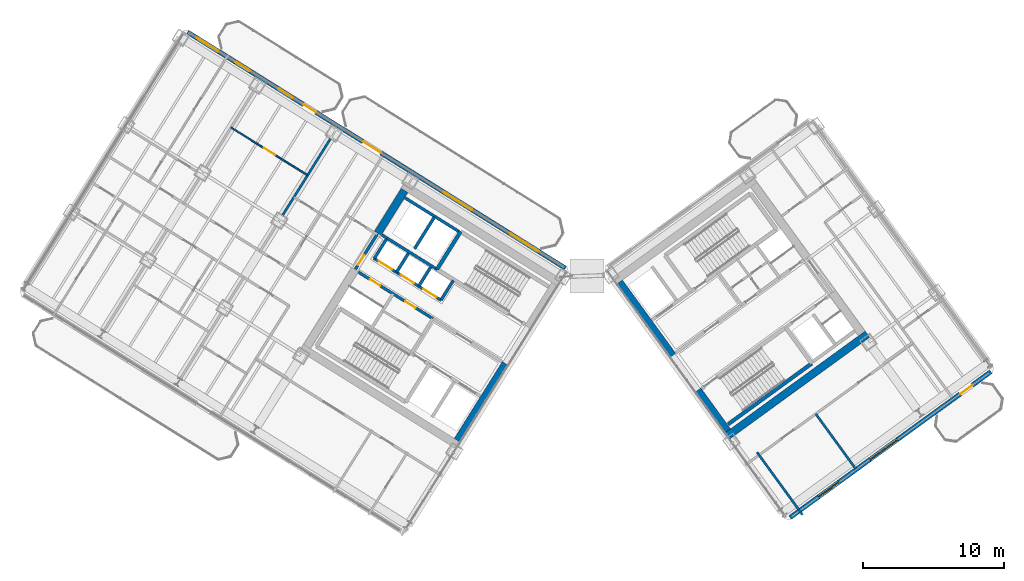
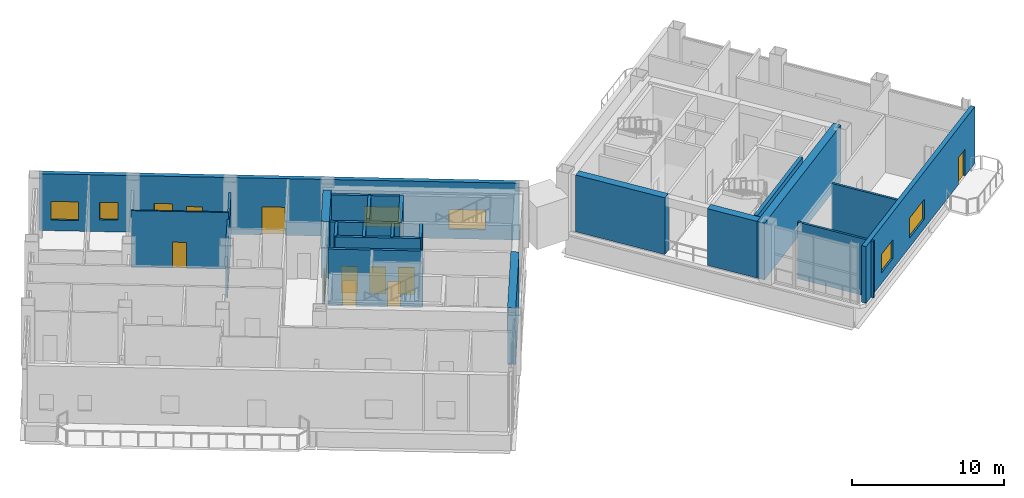
# One storey, part 14 of 22: 23 walls, 10 doors, 7 windows, 17 openings.
"""IFC4 building model written with IfcOpenShell, lengths in metres."""

import ifcopenshell
import ifcopenshell.guid

model = None  # the IFC model being written
_history = None  # IfcOwnerHistory: only IFC2X3 demands one
_inside = {}  # id of a spatial element -> (the spatial element, [elements in it])
_under = {}  # id of a project, library or spatial element -> (it, [spatial elements below it])
_declared = {}  # id of a project -> (the project, [libraries it declares])
_typed = {}  # id of a type object -> (the type object, [elements of that type])
_made_of = {}  # id of a material, layer set ... -> (it, [elements and type objects made of it])


def new_model(schema):
    """Start an empty IFC model of exactly this schema.

    Asked for "IFC4X3", IfcOpenShell would pick the latest addendum, in which some entities
    have other attributes; the version numbers below select the first issue.
    IFC2X3 requires an IfcOwnerHistory on every rooted entity: one is made here for all.
    """
    global model, _history
    if schema == "IFC4X3":
        model = ifcopenshell.file(schema_version=(4, 3, 0, 0))
    else:
        model = ifcopenshell.file(schema=schema)
    _inside.clear()
    _under.clear()
    _declared.clear()
    _typed.clear()
    _made_of.clear()
    _history = None
    if model.schema == "IFC2X3":
        org = make("IfcOrganization", Name="unknown")
        user = make(
            "IfcPersonAndOrganization",
            ThePerson=make("IfcPerson", FamilyName="unknown"),
            TheOrganization=org,
        )
        app = make(
            "IfcApplication",
            ApplicationDeveloper=org,
            Version="unknown",
            ApplicationFullName="unknown",
            ApplicationIdentifier="unknown",
        )
        _history = make(
            "IfcOwnerHistory",
            OwningUser=user,
            OwningApplication=app,
            ChangeAction="ADDED",
            CreationDate=0,
        )
    return model


def make(cls, **values):
    """One entity of the class cls with the attributes given. An attribute that is None is left unset."""
    return model.create_entity(
        cls, **{name: value for name, value in values.items() if value is not None}
    )


def rooted(cls, **values):
    """An entity with a GlobalId (a new one), such as an element, a storey or a relation."""
    return make(cls, GlobalId=ifcopenshell.guid.new(), OwnerHistory=_history, **values)


def si_unit(unit_type, name, prefix=None):
    """IfcSIUnit, for example si_unit("LENGTHUNIT", "METRE", prefix="MILLI")."""
    return make("IfcSIUnit", UnitType=unit_type, Prefix=prefix, Name=name)


def assignment(units):
    """IfcUnitAssignment: the units of a project."""
    return None if units is None else make("IfcUnitAssignment", Units=units)


def point(xyz):
    """IfcCartesianPoint."""
    return None if xyz is None else make("IfcCartesianPoint", Coordinates=xyz)


def direction(xyz):
    """IfcDirection."""
    return None if xyz is None else make("IfcDirection", DirectionRatios=xyz)


def frame(location, z_axis=None, x_axis=None):
    """IfcAxis2Placement3D, a coordinate frame: its origin and axes. An axis left out is left unset."""
    return make(
        "IfcAxis2Placement3D",
        Location=point(location),
        Axis=direction(z_axis),
        RefDirection=direction(x_axis),
    )


def frame_2d(location, x_axis=None):
    """IfcAxis2Placement2D, a coordinate frame in the plane: its origin and x axis."""
    return make(
        "IfcAxis2Placement2D", Location=point(location), RefDirection=direction(x_axis)
    )


def origin():
    """The frame at (0, 0, 0) with its axes left unset."""
    return frame((0.0, 0.0, 0.0))


def place(relative_to, where):
    """IfcLocalPlacement: puts the frame where relative to a parent placement (None: the world)."""
    return make(
        "IfcLocalPlacement", PlacementRelTo=relative_to, RelativePlacement=where
    )


def context(
    kind, dimensions, precision=None, world=None, true_north=None, identifier=None
):
    """IfcGeometricRepresentationContext, for example the 3D "Model" context."""
    return make(
        "IfcGeometricRepresentationContext",
        ContextIdentifier=identifier,
        ContextType=kind,
        CoordinateSpaceDimension=dimensions,
        Precision=precision,
        WorldCoordinateSystem=world,
        TrueNorth=true_north,
    )


def subcontext(parent, identifier, kind, view, scale=None):
    """IfcGeometricRepresentationSubContext, for example "Body" below "Model"."""
    return make(
        "IfcGeometricRepresentationSubContext",
        ContextIdentifier=identifier,
        ContextType=kind,
        ParentContext=parent,
        TargetScale=scale,
        TargetView=view,
    )


def project(units=None, contexts=None):
    """IfcProject with its units and contexts."""
    return rooted(
        "IfcProject",
        Name="project",
        RepresentationContexts=contexts,
        UnitsInContext=assignment(units),
    )


def spatial(cls, under=None, at=None, **own):
    """A site, building, storey or space (cls), placed at a placement, below another one or the project."""
    s = rooted(cls, ObjectPlacement=at, **own)
    if under is not None:
        _under.setdefault(under.id(), (under, []))[1].append(s)
    return s


def profile(cls, at=None, kind="AREA", **sizes):
    """A parametric profile (cls). Its sizes go by their IFC names, for example OverallWidth=200.0."""
    return make(cls, ProfileType=kind, Position=at, **sizes)


def rectangle(**sizes):
    """IfcRectangleProfileDef."""
    return profile("IfcRectangleProfileDef", **sizes)


def extrude(swept, where, along, depth):
    """IfcExtrudedAreaSolid: the profile swept, set in the frame where, extruded along a direction by depth."""
    return make(
        "IfcExtrudedAreaSolid",
        SweptArea=swept,
        Position=where,
        ExtrudedDirection=direction(along),
        Depth=depth,
    )


def shape(context_of_items, identifier, shape_type, items):
    """IfcShapeRepresentation: the items that make up one representation, for example the "Body"."""
    return make(
        "IfcShapeRepresentation",
        ContextOfItems=context_of_items,
        RepresentationIdentifier=identifier,
        RepresentationType=shape_type,
        Items=items,
    )


def source(mapping_origin, context_of_items, identifier, shape_type, items):
    """IfcRepresentationMap: a shape defined once, which mapped items show again and again."""
    return make(
        "IfcRepresentationMap",
        MappingOrigin=mapping_origin,
        MappedRepresentation=shape(context_of_items, identifier, shape_type, items),
    )


def transform(
    local_origin,
    x_axis=None,
    y_axis=None,
    z_axis=None,
    scale=None,
    scale2=None,
    scale3=None,
    uniform=True,
):
    """IfcCartesianTransformationOperator3D, or its non-uniform kind. x_axis, y_axis, z_axis: its Axis1, 2, 3."""
    if uniform:
        return make(
            "IfcCartesianTransformationOperator3D",
            Axis1=direction(x_axis),
            Axis2=direction(y_axis),
            LocalOrigin=point(local_origin),
            Scale=scale,
            Axis3=direction(z_axis),
        )
    return make(
        "IfcCartesianTransformationOperator3DnonUniform",
        Axis1=direction(x_axis),
        Axis2=direction(y_axis),
        LocalOrigin=point(local_origin),
        Scale=scale,
        Axis3=direction(z_axis),
        Scale2=scale2,
        Scale3=scale3,
    )


def mapped(mapping_source, mapping_target):
    """IfcMappedItem: shows the shape of a source again, moved by a transform."""
    return make(
        "IfcMappedItem", MappingSource=mapping_source, MappingTarget=mapping_target
    )


def material(Name=None, Category=None):
    """IfcMaterial."""
    return make("IfcMaterial", Name=Name, Category=Category)


def layer(
    of_material, thickness, ventilated=None, Name=None, Category=None, Priority=None
):
    """IfcMaterialLayer: one layer of a wall or slab, of a material (None: an air gap)."""
    return make(
        "IfcMaterialLayer",
        Material=of_material,
        LayerThickness=thickness,
        IsVentilated=ventilated,
        Name=Name,
        Category=Category,
        Priority=Priority,
    )


def layer_set(layers, Name=None):
    """IfcMaterialLayerSet."""
    return make("IfcMaterialLayerSet", MaterialLayers=layers, LayerSetName=Name)


def made_of(thing, what):
    """Note that an element or type object is made of a material, layer set ...; save() writes the relation."""
    if what is not None:
        _made_of.setdefault(what.id(), (what, []))[1].append(thing)
    return thing


def type_object(cls, material=None, **own):
    """A type object (cls), such as IfcWallType, which elements share."""
    return made_of(rooted(cls, **own), material)


def element(
    cls,
    number,
    at=None,
    inside=None,
    cuts=None,
    type_object=None,
    material=None,
    context=None,
    identifier="Body",
    shape_type=None,
    held_by="IfcProductDefinitionShape",
    body=None,
    shapes=None,
    **own,
):
    """One element of the class cls, such as IfcWall. Its Tag is "e" and its number.

    at: its placement. inside: the storey or other place that contains it. cuts: it is an
    opening in that element (IfcRelVoidsElement). A single representation is given by context,
    identifier, shape_type and body (its items); several are given by shapes. held_by: the class
    of the entity that holds the representations. save() writes the other relations.
    """
    e = rooted(cls, Tag="e%d" % number, ObjectPlacement=at, **own)
    if body is not None:
        shapes = [shape(context, identifier, shape_type, body)]
    if shapes is not None:
        e.Representation = make(held_by, Representations=shapes)
    if inside is not None:
        _inside.setdefault(inside.id(), (inside, []))[1].append(e)
    if cuts is not None:
        rooted(
            "IfcRelVoidsElement", RelatingBuildingElement=cuts, RelatedOpeningElement=e
        )
    if type_object is not None:
        _typed.setdefault(type_object.id(), (type_object, []))[1].append(e)
    return made_of(e, material)


def fill(opening, filler):
    """IfcRelFillsElement: the door or window that sits in an opening."""
    return rooted(
        "IfcRelFillsElement",
        RelatingOpeningElement=opening,
        RelatedBuildingElement=filler,
    )


def aggregate(whole, parts):
    """IfcRelAggregates: a whole, such as a stair, and the parts it consists of."""
    return rooted("IfcRelAggregates", RelatingObject=whole, RelatedObjects=parts)


def save(model, path):
    """Write the relations noted so far, then the file.

    IfcRelAggregates (storeys below a building ...), IfcRelContainedInSpatialStructure (elements
    in a storey), IfcRelDefinesByType, IfcRelAssociatesMaterial and IfcRelDeclares: one each for
    every whole, place, type object, material and project.
    """
    for whole, parts in _under.values():
        aggregate(whole, parts)
    for where, things in _inside.values():
        rooted(
            "IfcRelContainedInSpatialStructure",
            RelatedElements=things,
            RelatingStructure=where,
        )
    for kind, things in _typed.values():
        rooted("IfcRelDefinesByType", RelatedObjects=things, RelatingType=kind)
    for what, things in _made_of.values():
        rooted("IfcRelAssociatesMaterial", RelatedObjects=things, RelatingMaterial=what)
    for by, libraries in _declared.values():
        rooted("IfcRelDeclares", RelatingContext=by, RelatedDefinitions=libraries)
    model.write(path)


model = new_model("IFC4")

# Units and contexts
model_context = context("Model", 3, precision=1e-05, world=origin(), true_north=direction((0.0, 1.0)))
body_context = subcontext(model_context, "Body", "Model", "MODEL_VIEW")
ifc_project = project(units=[si_unit("LENGTHUNIT", "METRE"), si_unit("AREAUNIT", "SQUARE_METRE"), si_unit("VOLUMEUNIT", "CUBIC_METRE"), si_unit("PLANEANGLEUNIT", "RADIAN"), si_unit("MASSUNIT", "GRAM", prefix="KILO")], contexts=[model_context])

# Site, building, storey
site_placement = place(None, origin())
site = spatial("IfcSite", under=ifc_project, at=site_placement, CompositionType="ELEMENT")
building_placement = place(site_placement, origin())
building = spatial("IfcBuilding", under=site, at=building_placement, Name="Tlacorven Tower", CompositionType="ELEMENT")
storey_placement = place(building_placement, frame((0.0, 0.0, 127.800048828125)))
storey = spatial("IfcBuildingStorey", under=building, at=storey_placement, Name="L32", CompositionType="ELEMENT", Elevation=127.800048828125)

# Walls
ifc_material_1 = material(Name="Concrete C60/75", Category="concrete")
ifc_layer_1 = layer(ifc_material_1, 0.550048828125)
ifc_layer_set_1 = layer_set([ifc_layer_1], Name="Concrete C60/75")
wall_type_1 = type_object("IfcWallType", Name="WL-COR-550", PredefinedType="SHEAR", material=ifc_layer_set_1)
wall_1_placement = place(storey_placement, frame((36.683349609375, 18.30419921875, 0.0), z_axis=(0.0, 0.0, 1.0), x_axis=(-0.529896466841, -0.848062341122, 0.0)))
element("IfcWall", 1, at=wall_1_placement, inside=storey, type_object=wall_type_1, Name="L32 W core end wall E1.2", PredefinedType="SHEAR", context=body_context, shape_type="SweptSolid", body=[
    extrude(rectangle(XDim=6.4248046875, YDim=0.550048828125, at=frame_2d((3.21240234375, 0.0))), origin(), (0.0, 0.0, 1.0), 4.550048828125),
])
wall_2_placement = place(storey_placement, frame((29.517333984375, 30.59423828125, 0.0), z_axis=(0.0, 0.0, 1.0), x_axis=(-0.529906864564, -0.848055844204, 0.0)))
element("IfcWall", 2, at=wall_2_placement, inside=storey, type_object=wall_type_1, Name="L32 W core end wall E2.1", PredefinedType="SHEAR", context=body_context, shape_type="SweptSolid", body=[
    extrude(rectangle(XDim=3.5751953125, YDim=0.550048828125, at=frame_2d((1.78759765625, 0.0))), origin(), (0.0, 0.0, 1.0), 4.550048828125),
])
wall_3_placement = place(storey_placement, frame((52.35888671875, 13.1396484375, 0.0), z_axis=(0.0, 0.0, 1.0), x_axis=(0.809014896919, 0.587788139183, 0.0)))
element("IfcWall", 3, at=wall_3_placement, inside=storey, type_object=wall_type_1, Name="L32 E core shear wall S1", PredefinedType="SHEAR", context=body_context, shape_type="SweptSolid", body=[
    extrude(rectangle(XDim=12.340087890625, YDim=0.550048828125, at=frame_2d((6.169921875, 0.0))), origin(), (0.0, 0.0, 1.0), 4.550048828125),
])
wall_4_placement = place(storey_placement, frame((52.419677734375, 13.52392578125, 0.0), z_axis=(0.0, 0.0, 1.0), x_axis=(-0.587802113096, 0.809004744015, 0.0)))
element("IfcWall", 4, at=wall_4_placement, inside=storey, type_object=wall_type_1, Name="L32 E core end wall E1.1", PredefinedType="SHEAR", context=body_context, shape_type="SweptSolid", body=[
    extrude(rectangle(XDim=3.574951171875, YDim=0.550048828125, at=frame_2d((1.78759765625, 0.0))), origin(), (0.0, 0.0, 1.0), 4.550048828125),
])
wall_5_placement = place(storey_placement, frame((48.525634765625, 18.883544921875, 0.0), z_axis=(0.0, 0.0, 1.0), x_axis=(-0.587764933797, 0.809031756236, 0.0)))
element("IfcWall", 5, at=wall_5_placement, inside=storey, type_object=wall_type_1, Name="L32 E core end wall E1.2", PredefinedType="SHEAR", context=body_context, shape_type="SweptSolid", body=[
    extrude(rectangle(XDim=6.425048828125, YDim=0.550048828125, at=frame_2d((3.21240234375, 0.0))), origin(), (0.0, 0.0, 1.0), 4.550048828125),
])
ifc_material_2 = material(Name="Gypsum plasterboard acoustic partition", Category="gypsum")
ifc_layer_2 = layer(ifc_material_2, 0.159912109375)
ifc_layer_set_2 = layer_set([ifc_layer_2], Name="Gypsum plasterboard acoustic partition")
wall_type_2 = type_object("IfcWallType", Name="WL-DEM-160", PredefinedType="PARTITIONING", material=ifc_layer_set_2)
wall_6_placement = place(storey_placement, frame((24.255615234375, 34.2509765625, 0.0), z_axis=(0.0, 0.0, 1.0), x_axis=(-0.529919772691, -0.848047778437, 0.0)))
element("IfcWall", 6, at=wall_6_placement, inside=storey, type_object=wall_type_2, Name="L32 WS Demising Wall 1", PredefinedType="PARTITIONING", context=body_context, shape_type="SweptSolid", body=[
    extrude(rectangle(XDim=6.375732421875, YDim=0.159912109375, at=frame_2d((3.18798828125, 0.0))), origin(), (0.0, 0.0, 1.0), 3.974853515625),
])
wall_7_placement = place(storey_placement, frame((57.747314453125, 7.586181640625, 0.0), z_axis=(0.0, 0.0, 1.0), x_axis=(-0.587784893399, 0.809017255126, 0.0)))
element("IfcWall", 7, at=wall_7_placement, inside=storey, type_object=wall_type_2, Name="L32 EC West Throat Wall", PredefinedType="PARTITIONING", context=body_context, shape_type="SweptSolid", body=[
    extrude(rectangle(XDim=5.480224609375, YDim=0.159912109375, at=frame_2d((2.740234375, 0.0))), origin(), (0.0, 0.0, 1.0), 4.5400390625),
])
wall_8_placement = place(storey_placement, frame((61.538818359375, 10.822998046875, 0.0), z_axis=(0.0, 0.0, 1.0), x_axis=(-0.587785532001, 0.809016791155, 0.0)))
element("IfcWall", 8, at=wall_8_placement, inside=storey, type_object=wall_type_2, Name="L32 EC Demising Wall 1", PredefinedType="PARTITIONING", context=body_context, shape_type="SweptSolid", body=[
    extrude(rectangle(XDim=4.85009765625, YDim=0.159912109375, at=frame_2d((2.425048828125, 0.0))), origin(), (0.0, 0.0, 1.0), 4.5400390625),
])

# Wall, openings, doors, windows
ifc_material_3 = material(Name="Precast concrete C45/55", Category="concrete")
ifc_layer_3 = layer(ifc_material_3, 0.320068359375)
ifc_layer_set_3 = layer_set([ifc_layer_3], Name="Precast concrete C45/55")
wall_type_3 = type_object("IfcWallType", Name="WL-EXT-320", PredefinedType="STANDARD", material=ifc_layer_set_3)
wall_9_placement = place(storey_placement, frame((14.13818359375, 41.825439453125, 0.0), z_axis=(0.0, 0.0, 1.0), x_axis=(0.848046498049, -0.529921821731, 0.0)))
wall_9 = element("IfcWall", 9, at=wall_9_placement, inside=storey, type_object=wall_type_3, Name="L32 Masonry-Frame Recessed Facade Wall 3", PredefinedType="STANDARD", context=body_context, shape_type="SweptSolid", body=[
    extrude(rectangle(XDim=31.587646484375, YDim=0.320068359375, at=frame_2d((15.7939453125, 0.0))), origin(), (0.0, 0.0, 1.0), 4.550048828125),
])
opening_1_placement = place(wall_9_placement, frame((9.690185546875, 0.0, 0.0)))
opening_1 = element("IfcOpeningElement", 10, at=opening_1_placement, cuts=wall_9, Name="Opening D06", PredefinedType="OPENING", context=body_context, shape_type="SweptSolid", body=[
    extrude(rectangle(XDim=1.050048828125, YDim=2.14990234375, at=frame_2d((0.52490234375, 1.074951171875))), frame((0.0, 0.169921875, 0.0), z_axis=(0.0, -1.0, 0.0), x_axis=(1.0, 0.0, 0.0)), (0.0, 0.0, 1.0), 0.340087890625),
])
opening_2_placement = place(wall_9_placement, frame((14.666015625, 0.0, 0.0)))
opening_2 = element("IfcOpeningElement", 11, at=opening_2_placement, cuts=wall_9, Name="Opening D04", PredefinedType="OPENING", context=body_context, shape_type="SweptSolid", body=[
    extrude(rectangle(XDim=1.5, YDim=2.25, at=frame_2d((0.75, 1.125))), frame((0.0, 0.169921875, 0.0), z_axis=(0.0, -1.0, 0.0), x_axis=(1.0, 0.0, 0.0)), (0.0, 0.0, 1.0), 0.340087890625),
])
opening_3_placement = place(wall_9_placement, frame((0.791259765625, 0.0, 0.85009765625)))
opening_3 = element("IfcOpeningElement", 12, at=opening_3_placement, cuts=wall_9, Name="Opening WN01", PredefinedType="OPENING", context=body_context, shape_type="SweptSolid", body=[
    extrude(rectangle(XDim=1.800048828125, YDim=1.5, at=frame_2d((0.89990234375, 0.75))), frame((0.0, 0.169921875, 0.0), z_axis=(0.0, -1.0, 0.0), x_axis=(1.0, 0.0, 0.0)), (0.0, 0.0, 1.0), 0.340087890625),
])
opening_4_placement = place(wall_9_placement, frame((3.99609375, 0.0, 0.949951171875)))
opening_4 = element("IfcOpeningElement", 13, at=opening_4_placement, cuts=wall_9, Name="Opening WN03", PredefinedType="OPENING", context=body_context, shape_type="SweptSolid", body=[
    extrude(rectangle(XDim=1.199951171875, YDim=1.39990234375, at=frame_2d((0.60009765625, 0.699951171875))), frame((0.0, 0.169921875, 0.0), z_axis=(0.0, -1.0, 0.0), x_axis=(1.0, 0.0, 0.0)), (0.0, 0.0, 1.0), 0.340087890625),
])
opening_5_placement = place(wall_9_placement, frame((7.58203125, 0.0, 0.949951171875)))
opening_5 = element("IfcOpeningElement", 14, at=opening_5_placement, cuts=wall_9, Name="Opening WN03", PredefinedType="OPENING", context=body_context, shape_type="SweptSolid", body=[
    extrude(rectangle(XDim=1.199951171875, YDim=1.39990234375, at=frame_2d((0.60009765625, 0.699951171875))), frame((0.0, 0.169921875, 0.0), z_axis=(0.0, -1.0, 0.0), x_axis=(1.0, 0.0, 0.0)), (0.0, 0.0, 1.0), 0.340087890625),
])
opening_6_placement = place(wall_9_placement, frame((21.381103515625, 0.0, 0.75)))
opening_6 = element("IfcOpeningElement", 15, at=opening_6_placement, cuts=wall_9, Name="Opening WN06", PredefinedType="OPENING", context=body_context, shape_type="SweptSolid", body=[
    extrude(rectangle(XDim=2.39990234375, YDim=1.60009765625, at=frame_2d((1.199951171875, 0.800048828125))), frame((0.0, 0.169921875, 0.0), z_axis=(0.0, -1.0, 0.0), x_axis=(1.0, 0.0, 0.0)), (0.0, 0.0, 1.0), 0.340087890625),
])
opening_7_placement = place(wall_9_placement, frame((26.95556640625, 0.0, 0.75)))
opening_7 = element("IfcOpeningElement", 16, at=opening_7_placement, cuts=wall_9, Name="Opening WN06", PredefinedType="OPENING", context=body_context, shape_type="SweptSolid", body=[
    extrude(rectangle(XDim=2.39990234375, YDim=1.60009765625, at=frame_2d((1.199951171875, 0.800048828125))), frame((0.0, 0.169921875, 0.0), z_axis=(0.0, -1.0, 0.0), x_axis=(1.0, 0.0, 0.0)), (0.0, 0.0, 1.0), 0.340087890625),
])
ifc_material_4 = material(Name="Powder-coated aluminium and timber door", Category="wood")
door_type_1 = type_object("IfcDoorType", Name="DR-EXT-BALC-1050", OperationType="NOTDEFINED", PredefinedType="DOOR", material=ifc_material_4)
shared_shape_1 = source(origin(), body_context, "Body", "SweptSolid", [
    extrude(rectangle(XDim=1.050048828125, YDim=2.14990234375, at=frame_2d((0.52490234375, 1.074951171875))), frame((0.0, 0.02490234375, 0.0), z_axis=(0.0, -1.0, 0.0), x_axis=(1.0, 0.0, 0.0)), (0.0, 0.0, 1.0), 0.050048828125),
])
door_1_placement = place(opening_1_placement, origin())
door_1 = element("IfcDoor", 17, at=door_1_placement, inside=storey, type_object=door_type_1, Name="L32 Outdoor Access Door BAL-L32-W-IN", OperationType="SINGLE_SWING_RIGHT", OverallHeight=2.14990234375, OverallWidth=1.050048828125, PredefinedType="DOOR", context=body_context, shape_type="MappedRepresentation", body=[
    mapped(shared_shape_1, transform((0.0, 0.0, 0.0), scale=1.0)),
])
fill(opening_1, door_1)
ifc_material_5 = material(Name="Dark solar low-E double glazing in anodised aluminium frame", Category="aluminium")
window_type_1 = type_object("IfcWindowType", Name="WN-APT-1200X1500", PartitioningType="SINGLE_PANEL", PredefinedType="WINDOW", material=ifc_material_5)
shared_shape_2 = source(origin(), body_context, "Body", "SweptSolid", [
    extrude(rectangle(XDim=1.199951171875, YDim=1.39990234375, at=frame_2d((0.60009765625, 0.699951171875))), frame((0.0, 0.030029296875, 0.0), z_axis=(0.0, -1.0, 0.0), x_axis=(1.0, 0.0, 0.0)), (0.0, 0.0, 1.0), 0.06005859375),
])
window_1_placement = place(opening_4_placement, origin())
window_1 = element("IfcWindow", 18, at=window_1_placement, inside=storey, type_object=window_type_1, Name="L32 Recessed Masonry-Frame Window L32-03.2", OverallHeight=1.39990234375, OverallWidth=1.199951171875, PartitioningType="SINGLE_PANEL", PredefinedType="WINDOW", context=body_context, shape_type="MappedRepresentation", body=[
    mapped(shared_shape_2, transform((0.0, 0.0, 0.0), scale=1.0)),
])
fill(opening_4, window_1)
window_2_placement = place(opening_5_placement, origin())
window_2 = element("IfcWindow", 19, at=window_2_placement, inside=storey, type_object=window_type_1, Name="L32 Recessed Masonry-Frame Window L32-03.3", OverallHeight=1.39990234375, OverallWidth=1.199951171875, PartitioningType="SINGLE_PANEL", PredefinedType="WINDOW", context=body_context, shape_type="MappedRepresentation", body=[
    mapped(shared_shape_2, transform((0.0, 0.0, 0.0), scale=1.0)),
])
fill(opening_5, window_2)
window_type_2 = type_object("IfcWindowType", Name="WN-APT-1800X1650", PartitioningType="SINGLE_PANEL", PredefinedType="WINDOW", material=ifc_material_5)
shared_shape_3 = source(origin(), body_context, "Body", "SweptSolid", [
    extrude(rectangle(XDim=1.800048828125, YDim=1.5, at=frame_2d((0.89990234375, 0.75))), frame((0.0, 0.030029296875, 0.0), z_axis=(0.0, -1.0, 0.0), x_axis=(1.0, 0.0, 0.0)), (0.0, 0.0, 1.0), 0.06005859375),
])
window_3_placement = place(opening_3_placement, origin())
window_3 = element("IfcWindow", 20, at=window_3_placement, inside=storey, type_object=window_type_2, Name="L32 Recessed Masonry-Frame Window L32-03.1", OverallHeight=1.5, OverallWidth=1.800048828125, PartitioningType="SINGLE_PANEL", PredefinedType="WINDOW", context=body_context, shape_type="MappedRepresentation", body=[
    mapped(shared_shape_3, transform((0.0, 0.0, 0.0), scale=1.0)),
])
fill(opening_3, window_3)
door_type_2 = type_object("IfcDoorType", Name="DR-EXT-TERR-1500", OperationType="DOUBLE_DOOR_SINGLE_SWING", PredefinedType="DOOR", material=ifc_material_4)
shared_shape_4 = source(origin(), body_context, "Body", "SweptSolid", [
    extrude(rectangle(XDim=1.5, YDim=2.25, at=frame_2d((0.75, 1.125))), frame((0.0, 0.02490234375, 0.0), z_axis=(0.0, -1.0, 0.0), x_axis=(1.0, 0.0, 0.0)), (0.0, 0.0, 1.0), 0.050048828125),
])
door_2_placement = place(opening_2_placement, origin())
door_2 = element("IfcDoor", 21, at=door_2_placement, inside=storey, type_object=door_type_2, Name="L32 Outdoor Access Door TER-L32-SGW", OperationType="DOUBLE_DOOR_SINGLE_SWING", OverallHeight=2.25, OverallWidth=1.5, PredefinedType="DOOR", context=body_context, shape_type="MappedRepresentation", body=[
    mapped(shared_shape_4, transform((0.0, 0.0, 0.0), scale=1.0)),
])
fill(opening_2, door_2)
window_type_3 = type_object("IfcWindowType", Name="WN-APT-2400X1800", PartitioningType="SINGLE_PANEL", PredefinedType="WINDOW", material=ifc_material_5)
shared_shape_5 = source(origin(), body_context, "Body", "SweptSolid", [
    extrude(rectangle(XDim=2.39990234375, YDim=1.60009765625, at=frame_2d((1.199951171875, 0.800048828125))), frame((0.0, 0.030029296875, 0.0), z_axis=(0.0, -1.0, 0.0), x_axis=(1.0, 0.0, 0.0)), (0.0, 0.0, 1.0), 0.06005859375),
])
window_4_placement = place(opening_6_placement, origin())
window_4 = element("IfcWindow", 22, at=window_4_placement, inside=storey, type_object=window_type_3, Name="L32 Recessed Masonry-Frame Window L32-03.4", OverallHeight=1.60009765625, OverallWidth=2.39990234375, PartitioningType="SINGLE_PANEL", PredefinedType="WINDOW", context=body_context, shape_type="MappedRepresentation", body=[
    mapped(shared_shape_5, transform((0.0, 0.0, 0.0), scale=1.0)),
])
fill(opening_6, window_4)
window_5_placement = place(opening_7_placement, origin())
window_5 = element("IfcWindow", 23, at=window_5_placement, inside=storey, type_object=window_type_3, Name="L32 Recessed Masonry-Frame Window L32-03.5", OverallHeight=1.60009765625, OverallWidth=2.39990234375, PartitioningType="SINGLE_PANEL", PredefinedType="WINDOW", context=body_context, shape_type="MappedRepresentation", body=[
    mapped(shared_shape_5, transform((0.0, 0.0, 0.0), scale=1.0)),
])
fill(opening_7, window_5)

# Wall, openings, door, windows
wall_10_placement = place(storey_placement, frame((71.097900390625, 17.73095703125, 0.0), z_axis=(0.0, 0.0, 1.0), x_axis=(-0.809021120468, -0.587779573171, 0.0)))
wall_10 = element("IfcWall", 24, at=wall_10_placement, inside=storey, type_object=wall_type_3, Name="L32 Masonry-Frame Recessed Facade Wall 6", PredefinedType="STANDARD", context=body_context, shape_type="SweptSolid", body=[
    extrude(rectangle(XDim=17.587646484375, YDim=0.320068359375, at=frame_2d((8.7939453125, 0.0))), origin(), (0.0, 0.0, 1.0), 4.550048828125),
])
opening_8_placement = place(wall_10_placement, frame((1.611083984375, 0.0, 0.0)))
opening_8 = element("IfcOpeningElement", 25, at=opening_8_placement, cuts=wall_10, Name="Opening D06", PredefinedType="OPENING", context=body_context, shape_type="SweptSolid", body=[
    extrude(rectangle(XDim=1.050048828125, YDim=2.14990234375, at=frame_2d((0.52490234375, 1.074951171875))), frame((0.0, 0.169921875, 0.0), z_axis=(0.0, -1.0, 0.0), x_axis=(1.0, 0.0, 0.0)), (0.0, 0.0, 1.0), 0.340087890625),
])
opening_9_placement = place(wall_10_placement, frame((8.191162109375, 0.0, 0.75)))
opening_9 = element("IfcOpeningElement", 26, at=opening_9_placement, cuts=wall_10, Name="Opening WN06", PredefinedType="OPENING", context=body_context, shape_type="SweptSolid", body=[
    extrude(rectangle(XDim=2.39990234375, YDim=1.60009765625, at=frame_2d((1.199951171875, 0.800048828125))), frame((0.0, 0.169921875, 0.0), z_axis=(0.0, -1.0, 0.0), x_axis=(1.0, 0.0, 0.0)), (0.0, 0.0, 1.0), 0.340087890625),
])
opening_10_placement = place(wall_10_placement, frame((13.296142578125, 0.0, 0.85009765625)))
opening_10 = element("IfcOpeningElement", 27, at=opening_10_placement, cuts=wall_10, Name="Opening WN01", PredefinedType="OPENING", context=body_context, shape_type="SweptSolid", body=[
    extrude(rectangle(XDim=1.800048828125, YDim=1.5, at=frame_2d((0.89990234375, 0.75))), frame((0.0, 0.169921875, 0.0), z_axis=(0.0, -1.0, 0.0), x_axis=(1.0, 0.0, 0.0)), (0.0, 0.0, 1.0), 0.340087890625),
])
door_3_placement = place(opening_8_placement, origin())
door_3 = element("IfcDoor", 28, at=door_3_placement, inside=storey, type_object=door_type_1, Name="L32 Outdoor Access Door BAL-L32-E-OUT", OperationType="SINGLE_SWING_LEFT", OverallHeight=2.14990234375, OverallWidth=1.050048828125, PredefinedType="DOOR", context=body_context, shape_type="MappedRepresentation", body=[
    mapped(shared_shape_1, transform((0.0, 0.0, 0.0), scale=1.0)),
])
fill(opening_8, door_3)
window_6_placement = place(opening_10_placement, origin())
window_6 = element("IfcWindow", 29, at=window_6_placement, inside=storey, type_object=window_type_2, Name="L32 Recessed Masonry-Frame Window L32-06.2", OverallHeight=1.5, OverallWidth=1.800048828125, PartitioningType="SINGLE_PANEL", PredefinedType="WINDOW", context=body_context, shape_type="MappedRepresentation", body=[
    mapped(shared_shape_3, transform((0.0, 0.0, 0.0), scale=1.0)),
])
fill(opening_10, window_6)
window_7_placement = place(opening_9_placement, origin())
window_7 = element("IfcWindow", 30, at=window_7_placement, inside=storey, type_object=window_type_3, Name="L32 Recessed Masonry-Frame Window L32-06.1", OverallHeight=1.60009765625, OverallWidth=2.39990234375, PartitioningType="SINGLE_PANEL", PredefinedType="WINDOW", context=body_context, shape_type="MappedRepresentation", body=[
    mapped(shared_shape_5, transform((0.0, 0.0, 0.0), scale=1.0)),
])
fill(opening_9, window_7)

# Wall, opening, door
ifc_material_6 = material(Name="Gypsum plasterboard partition", Category="gypsum")
ifc_layer_4 = layer(ifc_material_6, 0.110107421875)
ifc_layer_set_4 = layer_set([ifc_layer_4], Name="Gypsum plasterboard partition")
wall_type_4 = type_object("IfcWallType", Name="WL-INT-110", PredefinedType="PARTITIONING", material=ifc_layer_set_4)
wall_11_placement = place(storey_placement, frame((22.6416015625, 31.66796875, 0.0), z_axis=(0.0, 0.0, 1.0), x_axis=(-0.84806687439, 0.529889211593, 0.0)))
wall_11 = element("IfcWall", 31, at=wall_11_placement, inside=storey, type_object=wall_type_4, Name="L32 partition 66", PredefinedType="PARTITIONING", context=body_context, shape_type="SweptSolid", body=[
    extrude(rectangle(XDim=6.400146484375, YDim=0.110107421875, at=frame_2d((3.2001953125, 0.0))), origin(), (0.0, 0.0, 1.0), 4.5400390625),
])
opening_11_placement = place(wall_11_placement, frame((2.739990234375, 0.0, 0.0)))
opening_11 = element("IfcOpeningElement", 32, at=opening_11_placement, cuts=wall_11, Name="Opening D12", PredefinedType="OPENING", context=body_context, shape_type="SweptSolid", body=[
    extrude(rectangle(XDim=0.919921875, YDim=2.080078125, at=frame_2d((0.4599609375, 1.0400390625))), frame((0.0, 0.06494140625, 0.0), z_axis=(0.0, -1.0, 0.0), x_axis=(1.0, 0.0, 0.0)), (0.0, 0.0, 1.0), 0.130126953125),
])
door_type_3 = type_object("IfcDoorType", Name="DR-INT-ROOM-0920", OperationType="NOTDEFINED", PredefinedType="DOOR", material=ifc_material_4)
shared_shape_6 = source(origin(), body_context, "Body", "SweptSolid", [
    extrude(rectangle(XDim=0.919921875, YDim=2.080078125, at=frame_2d((0.4599609375, 1.0400390625))), frame((0.0, 0.02490234375, 0.0), z_axis=(0.0, -1.0, 0.0), x_axis=(1.0, 0.0, 0.0)), (0.0, 0.0, 1.0), 0.050048828125),
])
door_4_placement = place(opening_11_placement, origin())
door_4 = element("IfcDoor", 33, at=door_4_placement, inside=storey, type_object=door_type_3, Name="L32 door 039", OperationType="SINGLE_SWING_RIGHT", OverallHeight=2.080078125, OverallWidth=0.919921875, PredefinedType="DOOR", context=body_context, shape_type="MappedRepresentation", body=[
    mapped(shared_shape_6, transform((0.0, 0.0, 0.0), scale=1.0)),
])
fill(opening_11, door_4)

# Wall
ifc_material_7 = material(Name="Concrete C40/50", Category="concrete")
ifc_layer_5 = layer(ifc_material_7, 0.199951171875)
ifc_layer_set_5 = layer_set([ifc_layer_5], Name="Concrete C40/50")
wall_type_5 = type_object("IfcWallType", Name="WL-SHF-200", PredefinedType="STANDARD", material=ifc_layer_set_5)
wall_12_placement = place(storey_placement, frame((31.82177734375, 24.99755859375, 0.0), z_axis=(0.0, 0.0, 1.0), x_axis=(-0.848036912365, 0.52993716162, 0.0)))
element("IfcWall", 34, at=wall_12_placement, inside=storey, type_object=wall_type_5, Name="L32 Core W South Lift Shaft Wall", PredefinedType="STANDARD", context=body_context, shape_type="SweptSolid", body=[
    extrude(rectangle(XDim=4.617919921875, YDim=0.199951171875, at=frame_2d((2.30908203125, 0.0))), origin(), (0.0, 0.0, 1.0), 4.5400390625),
])

# Wall, openings, doors
wall_13_placement = place(storey_placement, frame((32.108154296875, 22.81396484375, 0.0), z_axis=(0.0, 0.0, 1.0), x_axis=(-0.848042229521, 0.529928652696, 0.0)))
wall_13 = element("IfcWall", 35, at=wall_13_placement, inside=storey, type_object=wall_type_5, Name="L32 partition 11", PredefinedType="STANDARD", context=body_context, shape_type="SweptSolid", body=[
    extrude(rectangle(XDim=5.6201171875, YDim=0.199951171875, at=frame_2d((2.81005859375, 0.0))), origin(), (0.0, 0.0, 1.0), 4.5400390625),
])
opening_12_placement = place(wall_13_placement, frame((0.389892578125, 0.0, 0.0)))
opening_12 = element("IfcOpeningElement", 36, at=opening_12_placement, cuts=wall_13, Name="Opening LD01", PredefinedType="OPENING", context=body_context, shape_type="SweptSolid", body=[
    extrude(rectangle(XDim=1.10009765625, YDim=2.14990234375, at=frame_2d((0.550048828125, 1.074951171875))), frame((0.0, 0.10986328125, 0.0), z_axis=(0.0, -1.0, 0.0), x_axis=(1.0, 0.0, 0.0)), (0.0, 0.0, 1.0), 0.219970703125),
])
opening_13_placement = place(wall_13_placement, frame((2.25, 0.0, 0.0)))
opening_13 = element("IfcOpeningElement", 37, at=opening_13_placement, cuts=wall_13, Name="Opening LD01", PredefinedType="OPENING", context=body_context, shape_type="SweptSolid", body=[
    extrude(rectangle(XDim=1.10009765625, YDim=2.14990234375, at=frame_2d((0.550048828125, 1.074951171875))), frame((0.0, 0.10986328125, 0.0), z_axis=(0.0, -1.0, 0.0), x_axis=(1.0, 0.0, 0.0)), (0.0, 0.0, 1.0), 0.219970703125),
])
opening_14_placement = place(wall_13_placement, frame((4.110107421875, 0.0, 0.0)))
opening_14 = element("IfcOpeningElement", 38, at=opening_14_placement, cuts=wall_13, Name="Opening LD01", PredefinedType="OPENING", context=body_context, shape_type="SweptSolid", body=[
    extrude(rectangle(XDim=1.10009765625, YDim=2.14990234375, at=frame_2d((0.550048828125, 1.074951171875))), frame((0.0, 0.10986328125, 0.0), z_axis=(0.0, -1.0, 0.0), x_axis=(1.0, 0.0, 0.0)), (0.0, 0.0, 1.0), 0.219970703125),
])
ifc_material_8 = material(Name="Fire-rated steel door assembly", Category="steel")
door_type_4 = type_object("IfcDoorType", Name="DR-LFT-SLID-1100", OperationType="DOUBLE_DOOR_SLIDING", PredefinedType="DOOR", material=ifc_material_8)
shared_shape_7 = source(origin(), body_context, "Body", "SweptSolid", [
    extrude(rectangle(XDim=1.10009765625, YDim=2.14990234375, at=frame_2d((0.550048828125, 1.074951171875))), frame((0.0, 0.02490234375, 0.0), z_axis=(0.0, -1.0, 0.0), x_axis=(1.0, 0.0, 0.0)), (0.0, 0.0, 1.0), 0.050048828125),
])
door_5_placement = place(opening_12_placement, origin())
door_5 = element("IfcDoor", 39, at=door_5_placement, inside=storey, type_object=door_type_4, Name="L32 Lift PL-M1 Sliding Landing Door", OperationType="DOUBLE_DOOR_SLIDING", OverallHeight=2.14990234375, OverallWidth=1.10009765625, PredefinedType="DOOR", context=body_context, shape_type="MappedRepresentation", body=[
    mapped(shared_shape_7, transform((0.0, 0.0, 0.0), scale=1.0)),
])
fill(opening_12, door_5)
door_6_placement = place(opening_13_placement, origin())
door_6 = element("IfcDoor", 40, at=door_6_placement, inside=storey, type_object=door_type_4, Name="L32 Lift PL-M2 Sliding Landing Door", OperationType="DOUBLE_DOOR_SLIDING", OverallHeight=2.14990234375, OverallWidth=1.10009765625, PredefinedType="DOOR", context=body_context, shape_type="MappedRepresentation", body=[
    mapped(shared_shape_7, transform((0.0, 0.0, 0.0), scale=1.0)),
])
fill(opening_13, door_6)
door_7_placement = place(opening_14_placement, origin())
door_7 = element("IfcDoor", 41, at=door_7_placement, inside=storey, type_object=door_type_4, Name="L32 Lift PL-M3 Sliding Landing Door", OperationType="DOUBLE_DOOR_SLIDING", OverallHeight=2.14990234375, OverallWidth=1.10009765625, PredefinedType="DOOR", context=body_context, shape_type="MappedRepresentation", body=[
    mapped(shared_shape_7, transform((0.0, 0.0, 0.0), scale=1.0)),
])
fill(opening_14, door_7)

# Walls
wall_14_placement = place(storey_placement, frame((32.982421875, 24.21337890625, 0.0), z_axis=(0.0, 0.0, 1.0), x_axis=(-0.529839334948, -0.84809803628, 0.0)))
element("IfcWall", 42, at=wall_14_placement, inside=storey, type_object=wall_type_5, Name="L32 partition 12", PredefinedType="STANDARD", context=body_context, shape_type="SweptSolid", body=[
    extrude(rectangle(XDim=1.650146484375, YDim=0.199951171875, at=frame_2d((0.8251953125, 0.0))), origin(), (0.0, 0.0, 1.0), 4.5400390625),
])
wall_15_placement = place(storey_placement, frame((28.250244140625, 27.170166015625, 0.0), z_axis=(0.0, 0.0, 1.0), x_axis=(-0.529905827651, -0.848056492117, 0.0)))
element("IfcWall", 43, at=wall_15_placement, inside=storey, type_object=wall_type_5, Name="L32 partition 13", PredefinedType="STANDARD", context=body_context, shape_type="SweptSolid", body=[
    extrude(rectangle(XDim=1.64990234375, YDim=0.199951171875, at=frame_2d((0.824951171875, 0.0))), origin(), (0.0, 0.0, 1.0), 4.5400390625),
])
wall_16_placement = place(storey_placement, frame((31.645263671875, 28.716064453125, 0.0), z_axis=(0.0, 0.0, 1.0), x_axis=(-0.52986693015, -0.848080795876, 0.0)))
element("IfcWall", 44, at=wall_16_placement, inside=storey, type_object=wall_type_5, Name="L32 partition 15", PredefinedType="STANDARD", context=body_context, shape_type="SweptSolid", body=[
    extrude(rectangle(XDim=2.659912109375, YDim=0.199951171875, at=frame_2d((1.330078125, 0.0))), origin(), (0.0, 0.0, 1.0), 4.5400390625),
])
wall_17_placement = place(storey_placement, frame((33.362548828125, 27.690185546875, 0.0), z_axis=(0.0, 0.0, 1.0), x_axis=(-0.848047090064, 0.529920874315, 0.0)))
element("IfcWall", 45, at=wall_17_placement, inside=storey, type_object=wall_type_5, Name="L32 partition 17", PredefinedType="STANDARD", context=body_context, shape_type="SweptSolid", body=[
    extrude(rectangle(XDim=4.498046875, YDim=0.199951171875, at=frame_2d((2.2490234375, 0.0))), origin(), (0.0, 0.0, 1.0), 4.5400390625),
])
for number, where, z_axis, x_axis, name in (
    (46, (31.378662109375, 25.156494140625, 0.0), (0.0, 0.0, 1.0), (-0.529998940003, -0.847998304005, 0.0), "L32 partition 18"),
    (47, (29.80126953125, 26.14208984375, 0.0), (0.0, 0.0, 1.0), (-0.529998940003, -0.847998304005, 0.0), "L32 partition 19"),
):
    element("IfcWall", number, at=place(storey_placement, frame(where, z_axis=z_axis, x_axis=x_axis)), inside=storey, type_object=wall_type_5, Name=name, PredefinedType="STANDARD", context=body_context, shape_type="SweptSolid", body=[
        extrude(rectangle(XDim=1.580078125, YDim=0.199951171875, at=frame_2d((0.7900390625, 0.0))), origin(), (0.0, 0.0, 1.0), 4.5400390625),
    ])

# Wall, openings, doors
wall_18_placement = place(storey_placement, frame((31.525146484375, 21.503662109375, 0.0), z_axis=(0.0, 0.0, 1.0), x_axis=(-0.848040211232, 0.529931882541, 0.0)))
wall_18 = element("IfcWall", 48, at=wall_18_placement, inside=storey, type_object=wall_type_5, Name="L32 Core W North Service Wall", PredefinedType="STANDARD", context=body_context, shape_type="SweptSolid", body=[
    extrude(rectangle(XDim=6.218017578125, YDim=0.199951171875, at=frame_2d((3.10888671875, 0.0))), origin(), (0.0, 0.0, 1.0), 4.5400390625),
])
opening_15_placement = place(wall_18_placement, frame((4.39990234375, 0.0, 0.0)))
opening_15 = element("IfcOpeningElement", 49, at=opening_15_placement, cuts=wall_18, Name="Opening D19", PredefinedType="OPENING", context=body_context, shape_type="SweptSolid", body=[
    extrude(rectangle(XDim=0.860107421875, YDim=2.050048828125, at=frame_2d((0.43017578125, 1.02490234375))), frame((0.0, 0.10986328125, 0.0), z_axis=(0.0, -1.0, 0.0), x_axis=(1.0, 0.0, 0.0)), (0.0, 0.0, 1.0), 0.219970703125),
])
opening_16_placement = place(wall_18_placement, frame((1.449951171875, 0.0, 0.0)))
opening_16 = element("IfcOpeningElement", 50, at=opening_16_placement, cuts=wall_18, Name="Opening D19", PredefinedType="OPENING", context=body_context, shape_type="SweptSolid", body=[
    extrude(rectangle(XDim=0.860107421875, YDim=2.050048828125, at=frame_2d((0.43017578125, 1.02490234375))), frame((0.0, 0.10986328125, 0.0), z_axis=(0.0, -1.0, 0.0), x_axis=(1.0, 0.0, 0.0)), (0.0, 0.0, 1.0), 0.219970703125),
])
door_type_5 = type_object("IfcDoorType", Name="DR-RSR-FD60-0860", OperationType="NOTDEFINED", PredefinedType="DOOR", material=ifc_material_8)
shared_shape_8 = source(origin(), body_context, "Body", "SweptSolid", [
    extrude(rectangle(XDim=0.860107421875, YDim=2.050048828125, at=frame_2d((0.43017578125, 1.02490234375))), frame((0.0, 0.02490234375, 0.0), z_axis=(0.0, -1.0, 0.0), x_axis=(1.0, 0.0, 0.0)), (0.0, 0.0, 1.0), 0.050048828125),
])
door_8_placement = place(opening_15_placement, frame((0.860107421875, 0.0, 0.0), z_axis=(0.0, 0.0, 1.0), x_axis=(-1.0, 0.0, 0.0)))
door_8 = element("IfcDoor", 51, at=door_8_placement, inside=storey, type_object=door_type_5, Name="L32 Electrical Riser Access Door W", OperationType="SINGLE_SWING_LEFT", OverallHeight=2.050048828125, OverallWidth=0.860107421875, PredefinedType="DOOR", context=body_context, shape_type="MappedRepresentation", body=[
    mapped(shared_shape_8, transform((0.0, 0.0, 0.0), scale=1.0)),
])
fill(opening_15, door_8)
door_9_placement = place(opening_16_placement, frame((0.860107421875, 0.0, 0.0), z_axis=(0.0, 0.0, 1.0), x_axis=(-1.0, 0.0, 0.0)))
door_9 = element("IfcDoor", 52, at=door_9_placement, inside=storey, type_object=door_type_5, Name="L32 Cleaner Store Access Door W", OperationType="SINGLE_SWING_RIGHT", OverallHeight=2.050048828125, OverallWidth=0.860107421875, PredefinedType="DOOR", context=body_context, shape_type="MappedRepresentation", body=[
    mapped(shared_shape_8, transform((0.0, 0.0, 0.0), scale=1.0)),
])
fill(opening_16, door_9)

# Wall, opening, door
wall_19_placement = place(storey_placement, frame((27.59619140625, 27.52001953125, 0.0), z_axis=(0.0, 0.0, 1.0), x_axis=(-0.529865479138, -0.848081702443, 0.0)))
wall_19 = element("IfcWall", 53, at=wall_19_placement, inside=storey, type_object=wall_type_5, Name="L32 partition 45", PredefinedType="STANDARD", context=body_context, shape_type="SweptSolid", body=[
    extrude(rectangle(XDim=2.9599609375, YDim=0.199951171875, at=frame_2d((1.47998046875, 0.0))), origin(), (0.0, 0.0, 1.0), 4.5400390625),
])
opening_17_placement = place(wall_19_placement, frame((1.760009765625, 0.0, 0.0)))
opening_17 = element("IfcOpeningElement", 54, at=opening_17_placement, cuts=wall_19, Name="Opening D19", PredefinedType="OPENING", context=body_context, shape_type="SweptSolid", body=[
    extrude(rectangle(XDim=0.860107421875, YDim=2.050048828125, at=frame_2d((0.43017578125, 1.02490234375))), frame((0.0, 0.10986328125, 0.0), z_axis=(0.0, -1.0, 0.0), x_axis=(1.0, 0.0, 0.0)), (0.0, 0.0, 1.0), 0.219970703125),
])
door_10_placement = place(opening_17_placement, origin())
door_10 = element("IfcDoor", 55, at=door_10_placement, inside=storey, type_object=door_type_5, Name="L32 door 024", OperationType="SINGLE_SWING_LEFT", OverallHeight=2.050048828125, OverallWidth=0.860107421875, PredefinedType="DOOR", context=body_context, shape_type="MappedRepresentation", body=[
    mapped(shared_shape_8, transform((0.0, 0.0, 0.0), scale=1.0)),
])
fill(opening_17, door_10)

# Walls
ifc_material_9 = material(Name="Concrete C50/60", Category="concrete")
ifc_layer_6 = layer(ifc_material_9, 0.260009765625)
ifc_layer_set_6 = layer_set([ifc_layer_6], Name="Concrete C50/60")
wall_type_6 = type_object("IfcWallType", Name="WL-STW-260", PredefinedType="SHEAR", material=ifc_layer_set_6)
wall_20_placement = place(storey_placement, frame((33.496337890625, 27.677490234375, 0.0), z_axis=(0.0, 0.0, 1.0), x_axis=(-0.529908658664, -0.84805472316, 0.0)))
element("IfcWall", 56, at=wall_20_placement, inside=storey, type_object=wall_type_6, Name="L32 Stair W2 East Shear Wall", PredefinedType="SHEAR", context=body_context, shape_type="SweptSolid", body=[
    extrude(rectangle(XDim=3.16015625, YDim=0.260009765625, at=frame_2d((1.580078125, 0.0))), origin(), (0.0, 0.0, 1.0), 4.550048828125),
])
wall_21_placement = place(storey_placement, frame((52.47216796875, 14.01318359375, 0.0), z_axis=(0.0, 0.0, 1.0), x_axis=(0.809028366311, 0.587769599847, 0.0)))
element("IfcWall", 57, at=wall_21_placement, inside=storey, type_object=wall_type_6, Name="L32 Stair E2 Far Shear Wall", PredefinedType="SHEAR", context=body_context, shape_type="SweptSolid", body=[
    extrude(rectangle(XDim=7.330078125, YDim=0.260009765625, at=frame_2d((3.6650390625, 0.0))), origin(), (0.0, 0.0, 1.0), 4.550048828125),
])

save(model, "model.ifc")
